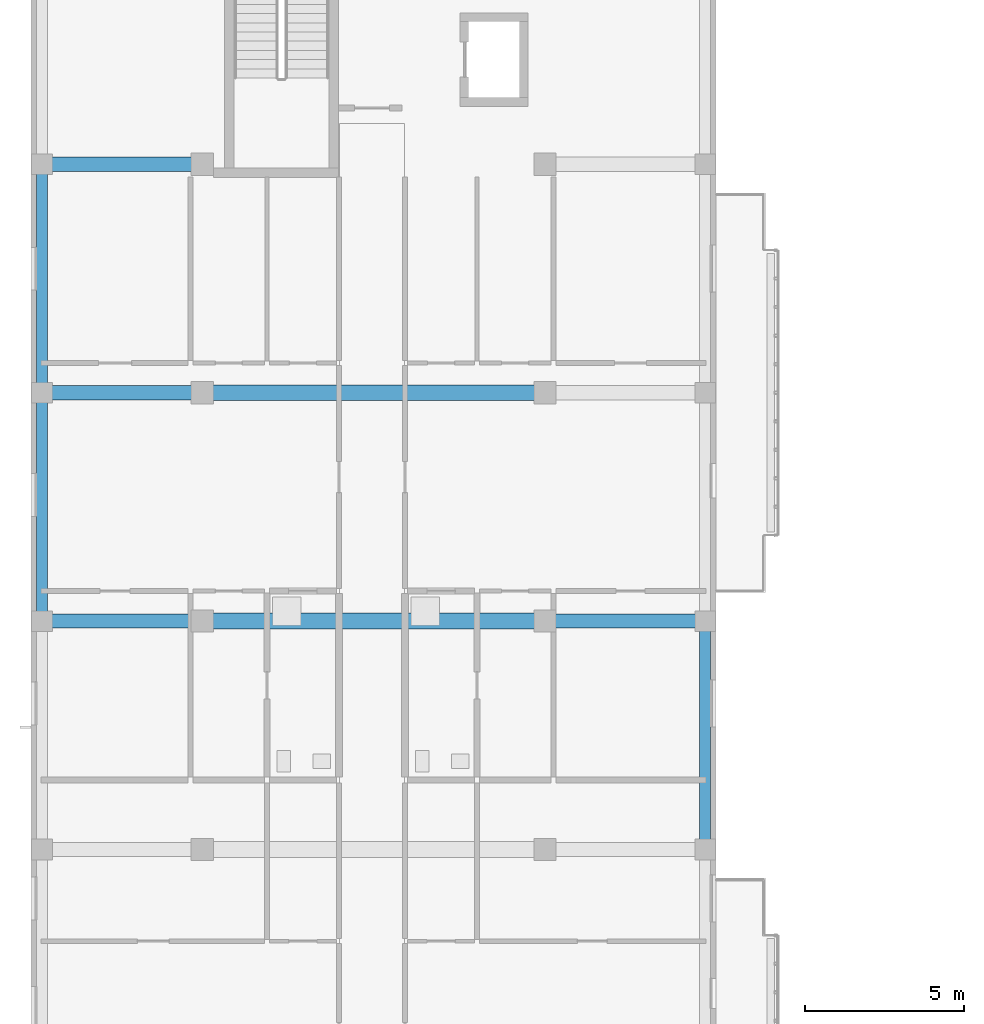
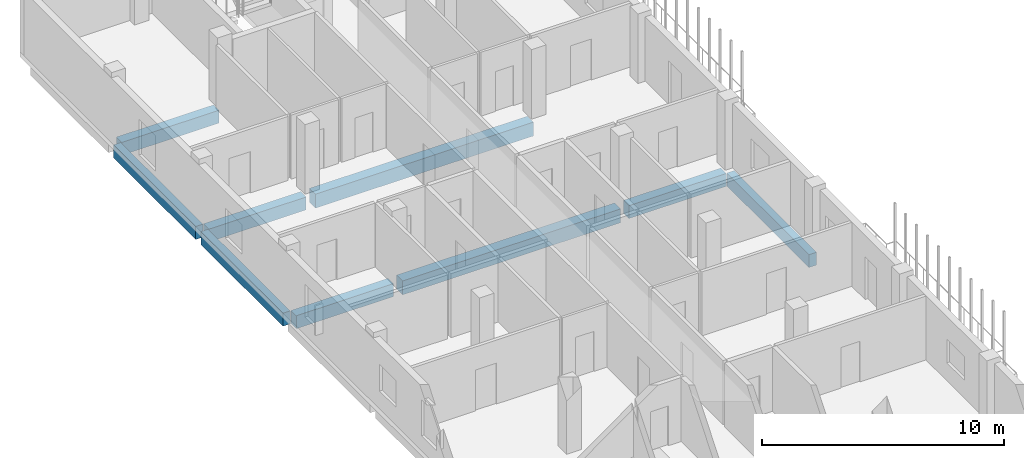
# One storey, part 20 of 73: 9 beams.
"""IFC4 building model written with IfcOpenShell, lengths in metres."""

from ifc_helpers import new_model, si_unit, derived_unit, direction, frame, origin, origin_2d, place, context, subcontext, project, spatial, rectangle, extrude, material, material_profile, profile_set, type_object, element, save


model = new_model("IFC4")

# Units and contexts
model_context = context("Model", 3, precision=1e-05, world=origin(), true_north=direction((0.0, 1.0)))
body_context = subcontext(model_context, "Body", "Model", "MODEL_VIEW")
ifc_project = project(units=[si_unit("LENGTHUNIT", "METRE"), si_unit("AREAUNIT", "SQUARE_METRE"), si_unit("VOLUMEUNIT", "CUBIC_METRE"), si_unit("PLANEANGLEUNIT", "RADIAN"), si_unit("MASSUNIT", "GRAM", prefix="KILO"), derived_unit("THERMALTRANSMITTANCEUNIT", [(si_unit("MASSUNIT", "GRAM", prefix="KILO"), 1), (si_unit("TIMEUNIT", "SECOND"), -3), (si_unit("THERMODYNAMICTEMPERATUREUNIT", "KELVIN"), -1)])], contexts=[model_context])

# Site, building, storey
site_placement = place(None, origin())
site = spatial("IfcSite", under=ifc_project, at=site_placement, CompositionType="ELEMENT")
building_placement = place(site_placement, origin())
building = spatial("IfcBuilding", under=site, at=building_placement, Name="Ochrekiln Boulevard Commons", CompositionType="ELEMENT")
storey_placement = place(building_placement, frame((0.0, 0.0, 8.574951171875)))
storey = spatial("IfcBuildingStorey", under=building, at=storey_placement, Name="L02", CompositionType="ELEMENT", Elevation=8.574951171875)

# Beams
ifc_material_1 = material(Name="Concrete C35/45", Category="concrete")
ifc_material_profile_1 = material_profile(ifc_material_1, rectangle(XDim=0.449951171875, YDim=0.64990234375, at=origin_2d()), Name="RC-BM-450x650")
ifc_profile_set_1 = profile_set([ifc_material_profile_1], Name="Concrete C35/45")
beam_type_1 = type_object("IfcBeamType", Name="BM-RC-450x650", PredefinedType="BEAM", material=ifc_profile_set_1)
beam_1_placement = place(storey_placement, frame((0.56005859375, 97.199951171875, -0.5849609375), z_axis=(1.0, 0.0, 0.0), x_axis=(0.0, 1.0, 0.0)))
element("IfcBeam", 1, at=beam_1_placement, inside=storey, type_object=beam_type_1, Name="Block A L02 Beam B-4565 X12", PredefinedType="BEAM", context=body_context, shape_type="SweptSolid", body=[
    extrude(rectangle(XDim=0.449951171875, YDim=0.64990234375, at=origin_2d()), origin(), (0.0, 0.0, 1.0), 4.6298828125),
])
beam_2_placement = place(storey_placement, frame((16.409912109375, 97.199951171875, -0.5849609375), z_axis=(1.0, 0.0, 0.0), x_axis=(0.0, 1.0, 0.0)))
element("IfcBeam", 2, at=beam_2_placement, inside=storey, type_object=beam_type_1, Name="Block A L02 Beam B-4565 X14", PredefinedType="BEAM", context=body_context, shape_type="SweptSolid", body=[
    extrude(rectangle(XDim=0.449951171875, YDim=0.64990234375, at=origin_2d()), origin(), (0.0, 0.0, 1.0), 4.630126953125),
])
for number, where, z_axis, x_axis, name in (
    (3, (0.56005859375, 104.39990234375, -0.5849609375), (1.0, 0.0, 0.0), (0.0, 1.0, 0.0), "Block A L02 Beam B-4565 X15"),
    (4, (0.56005859375, 111.60009765625, -0.5849609375), (1.0, 0.0, 0.0), (0.0, 1.0, 0.0), "Block A L02 Beam B-4565 X18"),
):
    element("IfcBeam", number, at=place(storey_placement, frame(where, z_axis=z_axis, x_axis=x_axis)), inside=storey, type_object=beam_type_1, Name=name, PredefinedType="BEAM", context=body_context, shape_type="SweptSolid", body=[
        extrude(rectangle(XDim=0.449951171875, YDim=0.64990234375, at=origin_2d()), origin(), (0.0, 0.0, 1.0), 4.6298828125),
    ])
ifc_material_2 = material(Name="Concrete C40/50", Category="concrete")
ifc_material_profile_2 = material_profile(ifc_material_2, rectangle(XDim=0.5, YDim=0.699951171875, at=origin_2d()), Name="RC-BM-500x700")
ifc_profile_set_2 = profile_set([ifc_material_profile_2], Name="Concrete C40/50")
beam_type_2 = type_object("IfcBeamType", Name="BM-RC-500x700", PredefinedType="BEAM", material=ifc_profile_set_2)
for number, where, z_axis, x_axis, name in (
    (5, (5.610107421875, 97.199951171875, -0.60986328125), (1.0, 0.0, 0.0), (0.0, 1.0, 0.0), "Block A L02 Beam B-5070 X13"),
    (6, (5.610107421875, 104.39990234375, -0.60986328125), (1.0, 0.0, 0.0), (0.0, 1.0, 0.0), "Block A L02 Beam B-5070 X16"),
):
    element("IfcBeam", number, at=place(storey_placement, frame(where, z_axis=z_axis, x_axis=x_axis)), inside=storey, type_object=beam_type_2, Name=name, PredefinedType="BEAM", context=body_context, shape_type="SweptSolid", body=[
        extrude(rectangle(XDim=0.5, YDim=0.699951171875, at=origin_2d()), origin(), (0.0, 0.0, 1.0), 10.3798828125),
    ])
ifc_material_profile_3 = material_profile(ifc_material_2, rectangle(XDim=0.35009765625, YDim=0.64990234375, at=origin_2d()), Name="RC-SPN-350x650")
ifc_profile_set_3 = profile_set([ifc_material_profile_3], Name="Concrete C40/50")
beam_type_3 = type_object("IfcBeamType", Name="SPN-RC-350x650", PredefinedType="SPANDREL", material=ifc_profile_set_3)
beam_3_placement = place(storey_placement, frame((0.35009765625, 97.409912109375, -0.5849609375), z_axis=(0.0, 1.0, 0.0), x_axis=(-1.0, 0.0, 0.0)))
element("IfcBeam", 7, at=beam_3_placement, inside=storey, type_object=beam_type_3, Name="Block A L02 Beam SP-3565 Y27", PredefinedType="SPANDREL", context=body_context, shape_type="SweptSolid", body=[
    extrude(rectangle(XDim=0.35009765625, YDim=0.64990234375, at=origin_2d()), origin(), (0.0, 0.0, 1.0), 6.780029296875),
])
beam_4_placement = place(storey_placement, frame((0.35009765625, 104.610107421875, -0.5849609375), z_axis=(0.0, 1.0, 0.0), x_axis=(-1.0, 0.0, 0.0)))
element("IfcBeam", 8, at=beam_4_placement, inside=storey, type_object=beam_type_3, Name="Block A L02 Beam SP-3565 Y28", PredefinedType="SPANDREL", context=body_context, shape_type="SweptSolid", body=[
    extrude(rectangle(XDim=0.35009765625, YDim=0.64990234375, at=origin_2d()), origin(), (0.0, 0.0, 1.0), 6.77978515625),
])
beam_5_placement = place(storey_placement, frame((21.25, 90.2099609375, -0.5849609375), z_axis=(0.0, 1.0, 0.0), x_axis=(-1.0, 0.0, 0.0)))
element("IfcBeam", 9, at=beam_5_placement, inside=storey, type_object=beam_type_3, Name="Block A L02 Beam SP-3565 Y33", PredefinedType="SPANDREL", context=body_context, shape_type="SweptSolid", body=[
    extrude(rectangle(XDim=0.35009765625, YDim=0.64990234375, at=origin_2d()), origin(), (0.0, 0.0, 1.0), 6.780029296875),
])

save(model, "model.ifc")
